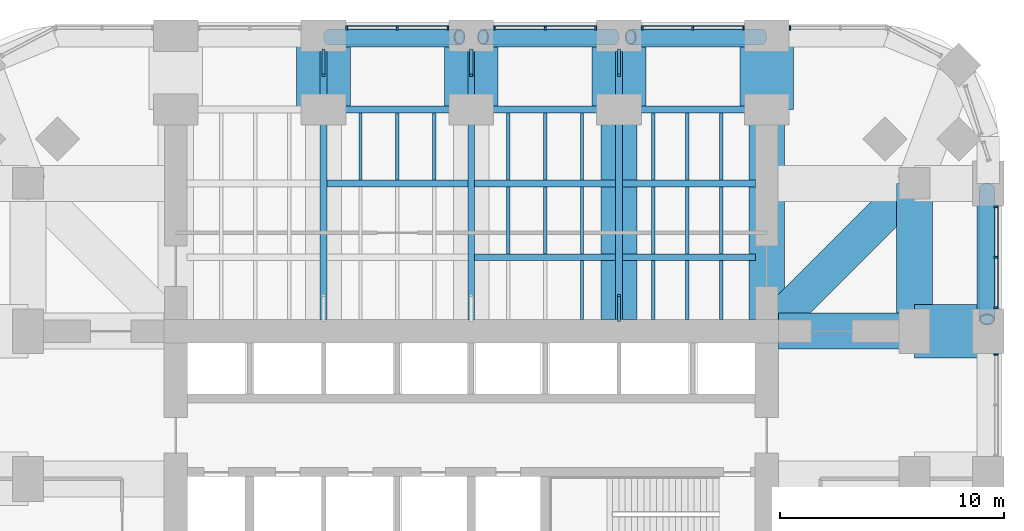
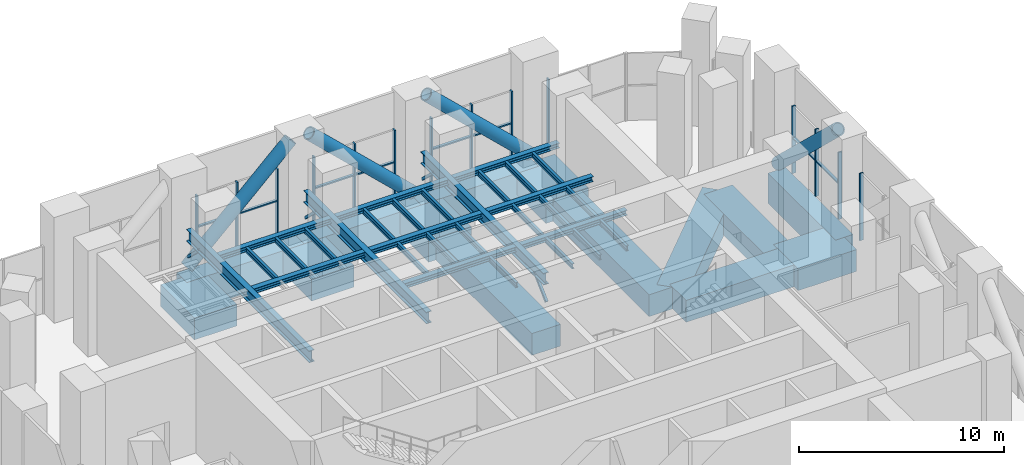
# One storey, part 8 of 16: 44 beams, 30 members, 6 elements without a shape of their own.
"""IFC4 building model written with IfcOpenShell, lengths in metres."""

from ifc_helpers import new_model, si_unit, direction, frame, origin, origin_2d, place, context, subcontext, project, spatial, rectangle, hollow_rectangle, hollow_circle, i_section, extrude, material, material_profile, profile_set, type_object, element, aggregate, save


model = new_model("IFC4")

# Units and contexts
model_context = context("Model", 3, precision=1e-05, world=origin(), true_north=direction((0.0, 1.0)))
body_context = subcontext(model_context, "Body", "Model", "MODEL_VIEW")
ifc_project = project(units=[si_unit("LENGTHUNIT", "METRE"), si_unit("AREAUNIT", "SQUARE_METRE"), si_unit("VOLUMEUNIT", "CUBIC_METRE"), si_unit("PLANEANGLEUNIT", "RADIAN"), si_unit("MASSUNIT", "GRAM", prefix="KILO")], contexts=[model_context])

# Site, building, storey
site_placement = place(None, origin())
site = spatial("IfcSite", under=ifc_project, at=site_placement, CompositionType="ELEMENT")
building_placement = place(site_placement, origin())
building = spatial("IfcBuilding", under=site, at=building_placement, Name="Cobogo Forest Laboratory Tower", CompositionType="ELEMENT")
storey_placement = place(building_placement, frame((0.0, 0.0, 149.39990234375)))
storey = spatial("IfcBuildingStorey", under=building, at=storey_placement, Name="L34", CompositionType="ELEMENT", Elevation=149.39990234375)

# Members
ifc_material_1 = material(Name="Steel S460NH", Category="steel")
ifc_material_profile_1 = material_profile(ifc_material_1, hollow_circle(Radius=0.35546875, WallThickness=0.06005859375, at=origin_2d()), Name="CHS 711x60")
ifc_profile_set_1 = profile_set([ifc_material_profile_1], Name="Steel S460NH")
member_type_1 = type_object("IfcMemberType", Name="Belt truss diagonal CHS 711x60", PredefinedType="BRACE", material=ifc_profile_set_1)
for number, where, z_axis, x_axis, name in (
    (1, (49.43994140625, 39.35009765625, 0.23876953125), (0.0, -0.723363796511, 0.690467101242), (1.0, 0.0, 0.0), "BT1 belt truss diagonal E10 L34"),
    (2, (20.050048828125, 46.139892578125, 0.23876953125), (0.723349354665, 0.0, 0.69048223084), (0.0, 1.0, 0.0), "BT1 belt truss diagonal N12 L34"),
    (3, (32.75, 46.139892578125, 0.23876953125), (-0.723363796511, 0.0, 0.690467101242), (0.0, -1.0, 0.0), "BT1 belt truss diagonal N13 L34"),
    (4, (39.35009765625, 46.139892578125, 0.23876953125), (-0.723363796511, 0.0, 0.690467101242), (0.0, -1.0, 0.0), "BT1 belt truss diagonal N14 L34"),
):
    element("IfcMember", number, at=place(storey_placement, frame(where, z_axis=z_axis, x_axis=x_axis)), inside=storey, type_object=member_type_1, Name=name, PredefinedType="BRACE", context=body_context, shape_type="SweptSolid", body=[
        extrude(hollow_circle(Radius=0.35546875, WallThickness=0.06005859375, at=origin_2d()), origin(), (0.0, 0.0, 1.0), 8.0595703125),
    ])

# Curtain wall, member
ifc_material_2 = material(Name="Aluminium curtain wall", Category="aluminium")
curtain_wall_type = type_object("IfcCurtainWallType", Name="CW-P louvred curtain wall, plant floors", PredefinedType="USERDEFINED", material=ifc_material_2)
curtain_wall_1_placement = place(storey_placement, origin())
curtain_wall_1 = element("IfcCurtainWall", 5, at=curtain_wall_1_placement, inside=storey, type_object=curtain_wall_type, Name="Curtain wall 13 L34", ObjectType="LOUVRED CURTAIN WALL", PredefinedType="USERDEFINED")
ifc_material_3 = material(Name="Aluminium mullion", Category="aluminium")
ifc_material_profile_2 = material_profile(ifc_material_3, rectangle(XDim=0.080078125, YDim=0.199951171875, at=origin_2d()), Name="AL 80x200")
ifc_profile_set_2 = profile_set([ifc_material_profile_2], Name="Aluminium mullion")
member_type_2 = type_object("IfcMemberType", Name="MU-3 aluminium louvre mullion 80x200", PredefinedType="MULLION", material=ifc_profile_set_2)
member_1_placement = place(storey_placement, frame((49.85009765625, 31.9599609375, 0.0), z_axis=(0.0, 0.0, 1.0), x_axis=(0.0, 1.0, 0.0)))
member_1 = element("IfcMember", 6, at=member_1_placement, type_object=member_type_2, Name="CW-P mullion 3", PredefinedType="MULLION", context=body_context, shape_type="SweptSolid", body=[
    extrude(rectangle(XDim=0.080078125, YDim=0.199951171875, at=origin_2d()), origin(), (0.0, 0.0, 1.0), 4.0),
])
aggregate(curtain_wall_1, [member_1])

# Curtain wall, members
curtain_wall_2_placement = place(storey_placement, origin())
curtain_wall_2 = element("IfcCurtainWall", 7, at=curtain_wall_2_placement, inside=storey, type_object=curtain_wall_type, Name="Curtain wall 14 L34", ObjectType="LOUVRED CURTAIN WALL", PredefinedType="USERDEFINED")
member_2_placement = place(storey_placement, frame((49.85009765625, 34.0400390625, 0.0), z_axis=(0.0, 0.0, 1.0), x_axis=(0.0, 1.0, 0.0)))
member_2 = element("IfcMember", 8, at=member_2_placement, type_object=member_type_2, Name="CW-P mullion 1", PredefinedType="MULLION", context=body_context, shape_type="SweptSolid", body=[
    extrude(rectangle(XDim=0.080078125, YDim=0.199951171875, at=origin_2d()), origin(), (0.0, 0.0, 1.0), 4.0),
])
member_3_placement = place(storey_placement, frame((49.85009765625, 36.300048828125, 0.0), z_axis=(0.0, 0.0, 1.0), x_axis=(0.0, 1.0, 0.0)))
member_3 = element("IfcMember", 9, at=member_3_placement, type_object=member_type_2, Name="CW-P mullion 2", PredefinedType="MULLION", context=body_context, shape_type="SweptSolid", body=[
    extrude(rectangle(XDim=0.080078125, YDim=0.199951171875, at=origin_2d()), origin(), (0.0, 0.0, 1.0), 4.0),
])
member_4_placement = place(storey_placement, frame((49.85009765625, 38.56005859375, 0.0), z_axis=(0.0, 0.0, 1.0), x_axis=(0.0, 1.0, 0.0)))
member_4 = element("IfcMember", 10, at=member_4_placement, type_object=member_type_2, Name="CW-P mullion 3", PredefinedType="MULLION", context=body_context, shape_type="SweptSolid", body=[
    extrude(rectangle(XDim=0.080078125, YDim=0.199951171875, at=origin_2d()), origin(), (0.0, 0.0, 1.0), 4.0),
])

# Curtain wall, member
curtain_wall_3_placement = place(storey_placement, origin())
curtain_wall_3 = element("IfcCurtainWall", 11, at=curtain_wall_3_placement, inside=storey, type_object=curtain_wall_type, Name="Curtain wall 18 L34", ObjectType="LOUVRED CURTAIN WALL", PredefinedType="USERDEFINED")
member_5_placement = place(storey_placement, frame((40.639892578125, 46.550048828125, 0.0), z_axis=(0.0, 0.0, 1.0), x_axis=(-1.0, 0.0, 0.0)))
member_5 = element("IfcMember", 12, at=member_5_placement, type_object=member_type_2, Name="CW-P mullion 3", PredefinedType="MULLION", context=body_context, shape_type="SweptSolid", body=[
    extrude(rectangle(XDim=0.080078125, YDim=0.199951171875, at=origin_2d()), origin(), (0.0, 0.0, 1.0), 4.0),
])
aggregate(curtain_wall_3, [member_5])

# Curtain wall, members
curtain_wall_4_placement = place(storey_placement, origin())
curtain_wall_4 = element("IfcCurtainWall", 13, at=curtain_wall_4_placement, inside=storey, type_object=curtain_wall_type, Name="Curtain wall 19 L34", ObjectType="LOUVRED CURTAIN WALL", PredefinedType="USERDEFINED")
member_6_placement = place(storey_placement, frame((38.56005859375, 46.550048828125, 0.0), z_axis=(0.0, 0.0, 1.0), x_axis=(-1.0, 0.0, 0.0)))
member_6 = element("IfcMember", 14, at=member_6_placement, type_object=member_type_2, Name="CW-P mullion 1", PredefinedType="MULLION", context=body_context, shape_type="SweptSolid", body=[
    extrude(rectangle(XDim=0.080078125, YDim=0.199951171875, at=origin_2d()), origin(), (0.0, 0.0, 1.0), 4.0),
])
member_7_placement = place(storey_placement, frame((36.300048828125, 46.550048828125, 0.0), z_axis=(0.0, 0.0, 1.0), x_axis=(-1.0, 0.0, 0.0)))
member_7 = element("IfcMember", 15, at=member_7_placement, type_object=member_type_2, Name="CW-P mullion 2", PredefinedType="MULLION", context=body_context, shape_type="SweptSolid", body=[
    extrude(rectangle(XDim=0.080078125, YDim=0.199951171875, at=origin_2d()), origin(), (0.0, 0.0, 1.0), 4.0),
])
member_8_placement = place(storey_placement, frame((34.0400390625, 46.550048828125, 0.0), z_axis=(0.0, 0.0, 1.0), x_axis=(-1.0, 0.0, 0.0)))
member_8 = element("IfcMember", 16, at=member_8_placement, type_object=member_type_2, Name="CW-P mullion 3", PredefinedType="MULLION", context=body_context, shape_type="SweptSolid", body=[
    extrude(rectangle(XDim=0.080078125, YDim=0.199951171875, at=origin_2d()), origin(), (0.0, 0.0, 1.0), 4.0),
])

curtain_wall_5_placement = place(storey_placement, origin())
curtain_wall_5 = element("IfcCurtainWall", 17, at=curtain_wall_5_placement, inside=storey, type_object=curtain_wall_type, Name="Curtain wall 20 L34", ObjectType="LOUVRED CURTAIN WALL", PredefinedType="USERDEFINED")
member_9_placement = place(storey_placement, frame((31.9599609375, 46.550048828125, 0.0), z_axis=(0.0, 0.0, 1.0), x_axis=(-1.0, 0.0, 0.0)))
member_9 = element("IfcMember", 18, at=member_9_placement, type_object=member_type_2, Name="CW-P mullion 1", PredefinedType="MULLION", context=body_context, shape_type="SweptSolid", body=[
    extrude(rectangle(XDim=0.080078125, YDim=0.199951171875, at=origin_2d()), origin(), (0.0, 0.0, 1.0), 4.0),
])
member_10_placement = place(storey_placement, frame((29.699951171875, 46.550048828125, 0.0), z_axis=(0.0, 0.0, 1.0), x_axis=(-1.0, 0.0, 0.0)))
member_10 = element("IfcMember", 19, at=member_10_placement, type_object=member_type_2, Name="CW-P mullion 2", PredefinedType="MULLION", context=body_context, shape_type="SweptSolid", body=[
    extrude(rectangle(XDim=0.080078125, YDim=0.199951171875, at=origin_2d()), origin(), (0.0, 0.0, 1.0), 4.0),
])
member_11_placement = place(storey_placement, frame((27.43994140625, 46.550048828125, 0.0), z_axis=(0.0, 0.0, 1.0), x_axis=(-1.0, 0.0, 0.0)))
member_11 = element("IfcMember", 20, at=member_11_placement, type_object=member_type_2, Name="CW-P mullion 3", PredefinedType="MULLION", context=body_context, shape_type="SweptSolid", body=[
    extrude(rectangle(XDim=0.080078125, YDim=0.199951171875, at=origin_2d()), origin(), (0.0, 0.0, 1.0), 4.0),
])

curtain_wall_6_placement = place(storey_placement, origin())
curtain_wall_6 = element("IfcCurtainWall", 21, at=curtain_wall_6_placement, inside=storey, type_object=curtain_wall_type, Name="Curtain wall 21 L34", ObjectType="LOUVRED CURTAIN WALL", PredefinedType="USERDEFINED")
member_12_placement = place(storey_placement, frame((25.360107421875, 46.550048828125, 0.0), z_axis=(0.0, 0.0, 1.0), x_axis=(-1.0, 0.0, 0.0)))
member_12 = element("IfcMember", 22, at=member_12_placement, type_object=member_type_2, Name="CW-P mullion 1", PredefinedType="MULLION", context=body_context, shape_type="SweptSolid", body=[
    extrude(rectangle(XDim=0.080078125, YDim=0.199951171875, at=origin_2d()), origin(), (0.0, 0.0, 1.0), 4.0),
])
member_13_placement = place(storey_placement, frame((23.10009765625, 46.550048828125, 0.0), z_axis=(0.0, 0.0, 1.0), x_axis=(-1.0, 0.0, 0.0)))
member_13 = element("IfcMember", 23, at=member_13_placement, type_object=member_type_2, Name="CW-P mullion 2", PredefinedType="MULLION", context=body_context, shape_type="SweptSolid", body=[
    extrude(rectangle(XDim=0.080078125, YDim=0.199951171875, at=origin_2d()), origin(), (0.0, 0.0, 1.0), 4.0),
])
member_14_placement = place(storey_placement, frame((20.840087890625, 46.550048828125, 0.0), z_axis=(0.0, 0.0, 1.0), x_axis=(-1.0, 0.0, 0.0)))
member_14 = element("IfcMember", 24, at=member_14_placement, type_object=member_type_2, Name="CW-P mullion 3", PredefinedType="MULLION", context=body_context, shape_type="SweptSolid", body=[
    extrude(rectangle(XDim=0.080078125, YDim=0.199951171875, at=origin_2d()), origin(), (0.0, 0.0, 1.0), 4.0),
])

# Beams
ifc_material_4 = material(Name="Concrete HA-40 (C40/50)", Category="concrete")
ifc_material_profile_3 = material_profile(ifc_material_4, rectangle(XDim=1.60009765625, YDim=1.300048828125, at=origin_2d()), Name="RC 1600x1300")
ifc_profile_set_3 = profile_set([ifc_material_profile_3], Name="Concrete HA-40 (C40/50)")
beam_type_1 = type_object("IfcBeamType", Name="Plant and roof garden wide beam 1600x1300", PredefinedType="BEAM", material=ifc_profile_set_3)
for number, where, z_axis, x_axis, name in (
    (25, (33.0, 33.52490234375, -1.0), (0.0, 1.0, 0.0), (-1.0, 0.0, 0.0), "RB4 R-6-N L34"),
    (26, (39.60009765625, 33.52490234375, -1.0), (0.0, 1.0, 0.0), (-1.0, 0.0, 0.0), "RB4 R-7-N L34"),
):
    element("IfcBeam", number, at=place(storey_placement, frame(where, z_axis=z_axis, x_axis=x_axis)), inside=storey, type_object=beam_type_1, Name=name, PredefinedType="BEAM", context=body_context, shape_type="SweptSolid", body=[
        extrude(rectangle(XDim=1.60009765625, YDim=1.300048828125, at=origin_2d()), origin(), (0.0, 0.0, 1.0), 9.375),
    ])
beam_1_placement = place(storey_placement, frame((40.125, 33.0, -1.0), z_axis=(1.0, 0.0, 0.0), x_axis=(0.0, 1.0, 0.0)))
element("IfcBeam", 27, at=beam_1_placement, inside=storey, type_object=beam_type_1, Name="RB4 R-F-E L34", PredefinedType="BEAM", context=body_context, shape_type="SweptSolid", body=[
    extrude(rectangle(XDim=1.60009765625, YDim=1.300048828125, at=origin_2d()), origin(), (0.0, 0.0, 1.0), 6.074951171875),
])
beam_2_placement = place(storey_placement, frame((46.199951171875, 39.60009765625, -1.0), z_axis=(0.0, -1.0, 0.0), x_axis=(1.0, 0.0, 0.0)))
element("IfcBeam", 28, at=beam_2_placement, inside=storey, type_object=beam_type_1, Name="RB4 G-NE-XC L34", PredefinedType="BEAM", context=body_context, shape_type="SweptSolid", body=[
    extrude(rectangle(XDim=1.60009765625, YDim=1.300048828125, at=origin_2d()), origin(), (0.0, 0.0, 1.0), 6.60009765625),
])
beam_3_placement = place(storey_placement, frame((46.199951171875, 39.60009765625, -1.0), z_axis=(-0.707092572697, -0.70712098939, 0.0), x_axis=(0.70712098939, -0.707092572697, 0.0)))
element("IfcBeam", 29, at=beam_3_placement, inside=storey, type_object=beam_type_1, Name="RB4 G-NE-D2 L34", PredefinedType="BEAM", context=body_context, shape_type="SweptSolid", body=[
    extrude(rectangle(XDim=1.60009765625, YDim=1.300048828125, at=origin_2d()), origin(), (0.0, 0.0, 1.0), 8.591552734375),
])
ifc_material_5 = material(Name="Concrete HA-50 (C50/60)", Category="concrete")
ifc_material_profile_4 = material_profile(ifc_material_5, rectangle(XDim=2.39990234375, YDim=1.300048828125, at=origin_2d()), Name="RC 2400x1300")
ifc_profile_set_4 = profile_set([ifc_material_profile_4], Name="Concrete HA-50 (C50/60)")
beam_type_2 = type_object("IfcBeamType", Name="Plant floor end-bay beam 2400x1300", PredefinedType="BEAM", material=ifc_profile_set_4)
for number, where, z_axis, x_axis, name in (
    (30, (19.800048828125, 46.199951171875, -1.0), (0.0, -1.0, 0.0), (1.0, 0.0, 0.0), "RB6 R-4-N-X L34"),
    (31, (26.39990234375, 46.199951171875, -1.0), (0.0, -1.0, 0.0), (1.0, 0.0, 0.0), "RB6 R-5-N-X L34"),
    (32, (33.0, 46.199951171875, -1.0), (0.0, -1.0, 0.0), (1.0, 0.0, 0.0), "RB6 R-6-N-X L34"),
    (33, (39.60009765625, 46.199951171875, -1.0), (0.0, -1.0, 0.0), (1.0, 0.0, 0.0), "RB6 R-7-N-X L34"),
    (34, (49.5, 33.0, -1.0), (-1.0, 0.0, 0.0), (0.0, -1.0, 0.0), "RB6 R-F-E-X L34"),
):
    element("IfcBeam", number, at=place(storey_placement, frame(where, z_axis=z_axis, x_axis=x_axis)), inside=storey, type_object=beam_type_2, Name=name, PredefinedType="BEAM", context=body_context, shape_type="SweptSolid", body=[
        extrude(rectangle(XDim=2.39990234375, YDim=1.300048828125, at=origin_2d()), origin(), (0.0, 0.0, 1.0), 3.300048828125),
    ])
ifc_material_profile_5 = material_profile(ifc_material_4, rectangle(XDim=1.0, YDim=1.800048828125, at=origin_2d()), Name="RC 1000x1800")
ifc_profile_set_5 = profile_set([ifc_material_profile_5], Name="Concrete HA-40 (C40/50)")
beam_type_3 = type_object("IfcBeamType", Name="Plant floor perimeter girder 1000x1800", PredefinedType="BEAM", material=ifc_profile_set_5)
beam_4_placement = place(storey_placement, frame((49.5, 33.0, -1.25), z_axis=(0.0, 1.0, 0.0), x_axis=(-1.0, 0.0, 0.0)))
element("IfcBeam", 35, at=beam_4_placement, inside=storey, type_object=beam_type_3, Name="TG1 E-E5 L34", PredefinedType="BEAM", context=body_context, shape_type="SweptSolid", body=[
    extrude(rectangle(XDim=1.0, YDim=1.800048828125, at=origin_2d()), origin(), (0.0, 0.0, 1.0), 6.60009765625),
])
beam_5_placement = place(storey_placement, frame((19.800048828125, 46.199951171875, -1.25), z_axis=(1.0, 0.0, 0.0), x_axis=(0.0, 1.0, 0.0)))
element("IfcBeam", 36, at=beam_5_placement, inside=storey, type_object=beam_type_3, Name="TG1 E-N2 L34", PredefinedType="BEAM", context=body_context, shape_type="SweptSolid", body=[
    extrude(rectangle(XDim=1.0, YDim=1.800048828125, at=origin_2d()), origin(), (0.0, 0.0, 1.0), 6.599853515625),
])
for number, where, z_axis, x_axis, name in (
    (37, (26.39990234375, 46.199951171875, -1.25), (1.0, 0.0, 0.0), (0.0, 1.0, 0.0), "TG1 E-N3 L34"),
    (38, (33.0, 46.199951171875, -1.25), (1.0, 0.0, 0.0), (0.0, 1.0, 0.0), "TG1 E-N4 L34"),
):
    element("IfcBeam", number, at=place(storey_placement, frame(where, z_axis=z_axis, x_axis=x_axis)), inside=storey, type_object=beam_type_3, Name=name, PredefinedType="BEAM", context=body_context, shape_type="SweptSolid", body=[
        extrude(rectangle(XDim=1.0, YDim=1.800048828125, at=origin_2d()), origin(), (0.0, 0.0, 1.0), 6.60009765625),
    ])

# Members
ifc_material_6 = material(Name="Steel S355", Category="steel")
ifc_material_profile_6 = material_profile(ifc_material_6, hollow_rectangle(XDim=0.14990234375, YDim=0.14990234375, WallThickness=0.008056640625, InnerFilletRadius=0.008056640625, OuterFilletRadius=0.011962890625, at=origin_2d()), Name="SHS 150x8")
ifc_profile_set_6 = profile_set([ifc_material_profile_6], Name="Steel S355")
member_type_3 = type_object("IfcMemberType", Name="Plant knee brace SHS 150x8", PredefinedType="BRACE", material=ifc_profile_set_6)
for number, where, z_axis, x_axis, name in (
    (39, (19.800048828125, 45.552978515625, 1.300048828125), (0.0, -0.725097922522, 0.688645774513), (1.0, 0.0, 0.0), "PX2 AHU-N knee brace 4-1 L34"),
    (40, (26.39990234375, 45.552978515625, 1.300048828125), (0.0, -0.725097922522, 0.688645774513), (1.0, 0.0, 0.0), "PX2 AHU-N knee brace 5-1 L34"),
    (41, (33.0, 45.552978515625, 1.300048828125), (0.0, -0.725097922522, 0.688645774513), (1.0, 0.0, 0.0), "PX2 AHU-N knee brace 6-1 L34"),
):
    element("IfcMember", number, at=place(storey_placement, frame(where, z_axis=z_axis, x_axis=x_axis)), inside=storey, type_object=member_type_3, Name=name, PredefinedType="BRACE", context=body_context, shape_type="SweptSolid", body=[
        extrude(hollow_rectangle(XDim=0.14990234375, YDim=0.14990234375, WallThickness=0.008056640625, InnerFilletRadius=0.008056640625, OuterFilletRadius=0.011962890625, at=origin_2d()), origin(), (0.0, 0.0, 1.0), 1.547119140625),
    ])
member_15_placement = place(storey_placement, frame((33.0, 33.471923828125, 1.300048828125), z_axis=(0.0, 0.725172744362, 0.68856698355), x_axis=(-1.0, 0.0, 0.0)))
element("IfcMember", 42, at=member_15_placement, inside=storey, type_object=member_type_3, Name="PX2 AHU-N knee brace 6-2 L34", PredefinedType="BRACE", context=body_context, shape_type="SweptSolid", body=[
    extrude(hollow_rectangle(XDim=0.14990234375, YDim=0.14990234375, WallThickness=0.008056640625, InnerFilletRadius=0.008056640625, OuterFilletRadius=0.011962890625, at=origin_2d()), origin(), (0.0, 0.0, 1.0), 1.54736328125),
])

# Beams
ifc_material_profile_7 = material_profile(ifc_material_6, i_section(OverallWidth=0.300048828125, OverallDepth=0.300048828125, WebThickness=0.010986328125, FlangeThickness=0.01904296875, FilletRadius=0.027099609375, at=origin_2d()), Name="HEB 300")
ifc_profile_set_7 = profile_set([ifc_material_profile_7], Name="Steel S355")
beam_type_4 = type_object("IfcBeamType", Name="Plant platform beam HEB 300", PredefinedType="BEAM", material=ifc_profile_set_7)
for number, where, z_axis, x_axis, name in (
    (43, (19.949951171875, 42.89990234375, 2.85009765625), (1.0, 0.0, 0.0), (0.0, 1.0, 0.0), "PB2 AHU-N platform beam 2 at 3300 L34"),
    (44, (26.550048828125, 42.89990234375, 2.85009765625), (1.0, 0.0, 0.0), (0.0, 1.0, 0.0), "PB2 AHU-N platform beam 3 at 3300 L34"),
):
    element("IfcBeam", number, at=place(storey_placement, frame(where, z_axis=z_axis, x_axis=x_axis)), inside=storey, type_object=beam_type_4, Name=name, PredefinedType="BEAM", context=body_context, shape_type="SweptSolid", body=[
        extrude(i_section(OverallWidth=0.300048828125, OverallDepth=0.300048828125, WebThickness=0.010986328125, FlangeThickness=0.01904296875, FilletRadius=0.027099609375, at=origin_2d()), origin(), (0.0, 0.0, 1.0), 6.300048828125),
    ])
beam_6_placement = place(storey_placement, frame((33.14990234375, 42.89990234375, 2.85009765625), z_axis=(1.0, 0.0, 0.0), x_axis=(0.0, 1.0, 0.0)))
element("IfcBeam", 45, at=beam_6_placement, inside=storey, type_object=beam_type_4, Name="PB2 AHU-N platform beam 4 at 3300 L34", PredefinedType="BEAM", context=body_context, shape_type="SweptSolid", body=[
    extrude(i_section(OverallWidth=0.300048828125, OverallDepth=0.300048828125, WebThickness=0.010986328125, FlangeThickness=0.01904296875, FilletRadius=0.027099609375, at=origin_2d()), origin(), (0.0, 0.0, 1.0), 5.9501953125),
])
for number, where, z_axis, x_axis, name in (
    (46, (19.949951171875, 39.60009765625, 2.85009765625), (1.0, 0.0, 0.0), (0.0, 1.0, 0.0), "PB2 AHU-N platform beam 2 at 6600 L34"),
    (47, (26.550048828125, 39.60009765625, 2.85009765625), (1.0, 0.0, 0.0), (0.0, 1.0, 0.0), "PB2 AHU-N platform beam 3 at 6600 L34"),
):
    element("IfcBeam", number, at=place(storey_placement, frame(where, z_axis=z_axis, x_axis=x_axis)), inside=storey, type_object=beam_type_4, Name=name, PredefinedType="BEAM", context=body_context, shape_type="SweptSolid", body=[
        extrude(i_section(OverallWidth=0.300048828125, OverallDepth=0.300048828125, WebThickness=0.010986328125, FlangeThickness=0.01904296875, FilletRadius=0.027099609375, at=origin_2d()), origin(), (0.0, 0.0, 1.0), 6.300048828125),
    ])
beam_7_placement = place(storey_placement, frame((33.14990234375, 39.60009765625, 2.85009765625), z_axis=(1.0, 0.0, 0.0), x_axis=(0.0, 1.0, 0.0)))
element("IfcBeam", 48, at=beam_7_placement, inside=storey, type_object=beam_type_4, Name="PB2 AHU-N platform beam 4 at 6600 L34", PredefinedType="BEAM", context=body_context, shape_type="SweptSolid", body=[
    extrude(i_section(OverallWidth=0.300048828125, OverallDepth=0.300048828125, WebThickness=0.010986328125, FlangeThickness=0.01904296875, FilletRadius=0.027099609375, at=origin_2d()), origin(), (0.0, 0.0, 1.0), 5.9501953125),
])
beam_8_placement = place(storey_placement, frame((26.550048828125, 36.300048828125, 2.85009765625), z_axis=(1.0, 0.0, 0.0), x_axis=(0.0, 1.0, 0.0)))
element("IfcBeam", 49, at=beam_8_placement, inside=storey, type_object=beam_type_4, Name="PB2 AHU-N platform beam 3 at 9900 L34", PredefinedType="BEAM", context=body_context, shape_type="SweptSolid", body=[
    extrude(i_section(OverallWidth=0.300048828125, OverallDepth=0.300048828125, WebThickness=0.010986328125, FlangeThickness=0.01904296875, FilletRadius=0.027099609375, at=origin_2d()), origin(), (0.0, 0.0, 1.0), 6.300048828125),
])
beam_9_placement = place(storey_placement, frame((33.14990234375, 36.300048828125, 2.85009765625), z_axis=(1.0, 0.0, 0.0), x_axis=(0.0, 1.0, 0.0)))
element("IfcBeam", 50, at=beam_9_placement, inside=storey, type_object=beam_type_4, Name="PB2 AHU-N platform beam 4 at 9900 L34", PredefinedType="BEAM", context=body_context, shape_type="SweptSolid", body=[
    extrude(i_section(OverallWidth=0.300048828125, OverallDepth=0.300048828125, WebThickness=0.010986328125, FlangeThickness=0.01904296875, FilletRadius=0.027099609375, at=origin_2d()), origin(), (0.0, 0.0, 1.0), 5.9501953125),
])
ifc_material_profile_8 = material_profile(ifc_material_6, i_section(OverallWidth=0.300048828125, OverallDepth=0.699951171875, WebThickness=0.01708984375, FlangeThickness=0.031982421875, FilletRadius=0.027099609375, at=origin_2d()), Name="HEB 700")
ifc_profile_set_8 = profile_set([ifc_material_profile_8], Name="Steel S355")
beam_type_5 = type_object("IfcBeamType", Name="Plant platform girder HEB 700", PredefinedType="BEAM", material=ifc_profile_set_8)
for number, where, z_axis, x_axis, name in (
    (51, (19.800048828125, 45.5, 2.650146484375), (0.0, -1.0, 0.0), (1.0, 0.0, 0.0), "PG1 AHU-N girder 4 L34"),
    (52, (26.39990234375, 45.5, 2.650146484375), (0.0, -1.0, 0.0), (1.0, 0.0, 0.0), "PG1 AHU-N girder 5 L34"),
    (53, (33.0, 45.5, 2.650146484375), (0.0, -1.0, 0.0), (1.0, 0.0, 0.0), "PG1 AHU-N girder 6 L34"),
):
    element("IfcBeam", number, at=place(storey_placement, frame(where, z_axis=z_axis, x_axis=x_axis)), inside=storey, type_object=beam_type_5, Name=name, PredefinedType="BEAM", context=body_context, shape_type="SweptSolid", body=[
        extrude(i_section(OverallWidth=0.300048828125, OverallDepth=0.699951171875, WebThickness=0.01708984375, FlangeThickness=0.031982421875, FilletRadius=0.027099609375, at=origin_2d()), origin(), (0.0, 0.0, 1.0), 11.97509765625),
    ])
ifc_material_profile_9 = material_profile(ifc_material_6, i_section(OverallWidth=0.14990234375, OverallDepth=0.300048828125, WebThickness=0.007080078125, FlangeThickness=0.0107421875, FilletRadius=0.014892578125, at=origin_2d()), Name="IPE 300")
ifc_profile_set_9 = profile_set([ifc_material_profile_9], Name="Steel S355")
beam_type_6 = type_object("IfcBeamType", Name="Plant platform joist IPE 300", PredefinedType="JOIST", material=ifc_profile_set_9)
for number, where, z_axis, x_axis, name in (
    (54, (21.449951171875, 42.75, 2.85009765625), (0.0, -1.0, 0.0), (1.0, 0.0, 0.0), "PJ2 AHU-N joist 2.1 row 1 L34"),
    (55, (23.10009765625, 42.75, 2.85009765625), (0.0, -1.0, 0.0), (1.0, 0.0, 0.0), "PJ2 AHU-N joist 2.2 row 1 L34"),
    (56, (24.75, 42.75, 2.85009765625), (0.0, -1.0, 0.0), (1.0, 0.0, 0.0), "PJ2 AHU-N joist 2.3 row 1 L34"),
    (57, (28.050048828125, 42.75, 2.85009765625), (0.0, -1.0, 0.0), (1.0, 0.0, 0.0), "PJ2 AHU-N joist 3.1 row 1 L34"),
    (58, (28.050048828125, 39.449951171875, 2.85009765625), (0.0, -1.0, 0.0), (1.0, 0.0, 0.0), "PJ2 AHU-N joist 3.1 row 2 L34"),
    (59, (29.699951171875, 42.75, 2.85009765625), (0.0, -1.0, 0.0), (1.0, 0.0, 0.0), "PJ2 AHU-N joist 3.2 row 1 L34"),
    (60, (29.699951171875, 39.449951171875, 2.85009765625), (0.0, -1.0, 0.0), (1.0, 0.0, 0.0), "PJ2 AHU-N joist 3.2 row 2 L34"),
    (61, (31.35009765625, 42.75, 2.85009765625), (0.0, -1.0, 0.0), (1.0, 0.0, 0.0), "PJ2 AHU-N joist 3.3 row 1 L34"),
    (62, (31.35009765625, 39.449951171875, 2.85009765625), (0.0, -1.0, 0.0), (1.0, 0.0, 0.0), "PJ2 AHU-N joist 3.3 row 2 L34"),
):
    element("IfcBeam", number, at=place(storey_placement, frame(where, z_axis=z_axis, x_axis=x_axis)), inside=storey, type_object=beam_type_6, Name=name, PredefinedType="JOIST", context=body_context, shape_type="SweptSolid", body=[
        extrude(i_section(OverallWidth=0.14990234375, OverallDepth=0.300048828125, WebThickness=0.007080078125, FlangeThickness=0.0107421875, FilletRadius=0.014892578125, at=origin_2d()), origin(), (0.0, 0.0, 1.0), 3.0),
    ])
beam_10_placement = place(storey_placement, frame((31.35009765625, 36.14990234375, 2.85009765625), z_axis=(0.0, -1.0, 0.0), x_axis=(1.0, 0.0, 0.0)))
element("IfcBeam", 63, at=beam_10_placement, inside=storey, type_object=beam_type_6, Name="PJ2 AHU-N joist 3.3 row 3 L34", PredefinedType="JOIST", context=body_context, shape_type="SweptSolid", body=[
    extrude(i_section(OverallWidth=0.14990234375, OverallDepth=0.300048828125, WebThickness=0.007080078125, FlangeThickness=0.0107421875, FilletRadius=0.014892578125, at=origin_2d()), origin(), (0.0, 0.0, 1.0), 2.625),
])
for number, where, z_axis, x_axis, name in (
    (64, (34.52490234375, 42.75, 2.85009765625), (0.0, -1.0, 0.0), (1.0, 0.0, 0.0), "PJ2 AHU-N joist 4.1 row 1 L34"),
    (65, (34.52490234375, 39.449951171875, 2.85009765625), (0.0, -1.0, 0.0), (1.0, 0.0, 0.0), "PJ2 AHU-N joist 4.1 row 2 L34"),
):
    element("IfcBeam", number, at=place(storey_placement, frame(where, z_axis=z_axis, x_axis=x_axis)), inside=storey, type_object=beam_type_6, Name=name, PredefinedType="JOIST", context=body_context, shape_type="SweptSolid", body=[
        extrude(i_section(OverallWidth=0.14990234375, OverallDepth=0.300048828125, WebThickness=0.007080078125, FlangeThickness=0.0107421875, FilletRadius=0.014892578125, at=origin_2d()), origin(), (0.0, 0.0, 1.0), 3.0),
    ])
beam_11_placement = place(storey_placement, frame((34.52490234375, 36.14990234375, 2.85009765625), z_axis=(0.0, -1.0, 0.0), x_axis=(1.0, 0.0, 0.0)))
element("IfcBeam", 66, at=beam_11_placement, inside=storey, type_object=beam_type_6, Name="PJ2 AHU-N joist 4.1 row 3 L34", PredefinedType="JOIST", context=body_context, shape_type="SweptSolid", body=[
    extrude(i_section(OverallWidth=0.14990234375, OverallDepth=0.300048828125, WebThickness=0.007080078125, FlangeThickness=0.0107421875, FilletRadius=0.014892578125, at=origin_2d()), origin(), (0.0, 0.0, 1.0), 2.625),
])
for number, where, z_axis, x_axis, name in (
    (67, (36.050048828125, 42.75, 2.85009765625), (0.0, -1.0, 0.0), (1.0, 0.0, 0.0), "PJ2 AHU-N joist 4.2 row 1 L34"),
    (68, (36.050048828125, 39.449951171875, 2.85009765625), (0.0, -1.0, 0.0), (1.0, 0.0, 0.0), "PJ2 AHU-N joist 4.2 row 2 L34"),
):
    element("IfcBeam", number, at=place(storey_placement, frame(where, z_axis=z_axis, x_axis=x_axis)), inside=storey, type_object=beam_type_6, Name=name, PredefinedType="JOIST", context=body_context, shape_type="SweptSolid", body=[
        extrude(i_section(OverallWidth=0.14990234375, OverallDepth=0.300048828125, WebThickness=0.007080078125, FlangeThickness=0.0107421875, FilletRadius=0.014892578125, at=origin_2d()), origin(), (0.0, 0.0, 1.0), 3.0),
    ])
beam_12_placement = place(storey_placement, frame((36.050048828125, 36.14990234375, 2.85009765625), z_axis=(0.0, -1.0, 0.0), x_axis=(1.0, 0.0, 0.0)))
element("IfcBeam", 69, at=beam_12_placement, inside=storey, type_object=beam_type_6, Name="PJ2 AHU-N joist 4.2 row 3 L34", PredefinedType="JOIST", context=body_context, shape_type="SweptSolid", body=[
    extrude(i_section(OverallWidth=0.14990234375, OverallDepth=0.300048828125, WebThickness=0.007080078125, FlangeThickness=0.0107421875, FilletRadius=0.014892578125, at=origin_2d()), origin(), (0.0, 0.0, 1.0), 2.625),
])
for number, where, z_axis, x_axis, name in (
    (70, (37.574951171875, 42.75, 2.85009765625), (0.0, -1.0, 0.0), (1.0, 0.0, 0.0), "PJ2 AHU-N joist 4.3 row 1 L34"),
    (71, (37.574951171875, 39.449951171875, 2.85009765625), (0.0, -1.0, 0.0), (1.0, 0.0, 0.0), "PJ2 AHU-N joist 4.3 row 2 L34"),
):
    element("IfcBeam", number, at=place(storey_placement, frame(where, z_axis=z_axis, x_axis=x_axis)), inside=storey, type_object=beam_type_6, Name=name, PredefinedType="JOIST", context=body_context, shape_type="SweptSolid", body=[
        extrude(i_section(OverallWidth=0.14990234375, OverallDepth=0.300048828125, WebThickness=0.007080078125, FlangeThickness=0.0107421875, FilletRadius=0.014892578125, at=origin_2d()), origin(), (0.0, 0.0, 1.0), 3.0),
    ])
beam_13_placement = place(storey_placement, frame((37.574951171875, 36.14990234375, 2.85009765625), z_axis=(0.0, -1.0, 0.0), x_axis=(1.0, 0.0, 0.0)))
element("IfcBeam", 72, at=beam_13_placement, inside=storey, type_object=beam_type_6, Name="PJ2 AHU-N joist 4.3 row 3 L34", PredefinedType="JOIST", context=body_context, shape_type="SweptSolid", body=[
    extrude(i_section(OverallWidth=0.14990234375, OverallDepth=0.300048828125, WebThickness=0.007080078125, FlangeThickness=0.0107421875, FilletRadius=0.014892578125, at=origin_2d()), origin(), (0.0, 0.0, 1.0), 2.625),
])

# Member
ifc_material_7 = material(Name="Aluminium transom", Category="aluminium")
ifc_material_profile_10 = material_profile(ifc_material_7, rectangle(XDim=0.14990234375, YDim=0.080078125, at=origin_2d()), Name="AL 80x150")
ifc_profile_set_10 = profile_set([ifc_material_profile_10], Name="Aluminium transom")
member_type_4 = type_object("IfcMemberType", Name="TR-2 aluminium louvre transom 80x150", PredefinedType="USERDEFINED", material=ifc_profile_set_10)
member_16_placement = place(storey_placement, frame((49.85009765625, 34.080078125, 2.10009765625), z_axis=(0.0, 1.0, 0.0), x_axis=(-1.0, 0.0, 0.0)))
member_16 = element("IfcMember", 73, at=member_16_placement, type_object=member_type_4, Name="CW-P transom 1.1", ObjectType="TRANSOM", PredefinedType="USERDEFINED", context=body_context, shape_type="SweptSolid", body=[
    extrude(rectangle(XDim=0.14990234375, YDim=0.080078125, at=origin_2d()), origin(), (0.0, 0.0, 1.0), 2.179931640625),
])

member_17_placement = place(storey_placement, frame((49.85009765625, 36.340087890625, 2.10009765625), z_axis=(0.0, 1.0, 0.0), x_axis=(-1.0, 0.0, 0.0)))
member_17 = element("IfcMember", 74, at=member_17_placement, type_object=member_type_4, Name="CW-P transom 2.1", ObjectType="TRANSOM", PredefinedType="USERDEFINED", context=body_context, shape_type="SweptSolid", body=[
    extrude(rectangle(XDim=0.14990234375, YDim=0.080078125, at=origin_2d()), origin(), (0.0, 0.0, 1.0), 2.179931640625),
])

aggregate(curtain_wall_2, [member_2, member_3, member_4, member_16, member_17])

member_18_placement = place(storey_placement, frame((38.52001953125, 46.550048828125, 2.10009765625), z_axis=(-1.0, 0.0, 0.0), x_axis=(0.0, -1.0, 0.0)))
member_18 = element("IfcMember", 75, at=member_18_placement, type_object=member_type_4, Name="CW-P transom 1.1", ObjectType="TRANSOM", PredefinedType="USERDEFINED", context=body_context, shape_type="SweptSolid", body=[
    extrude(rectangle(XDim=0.14990234375, YDim=0.080078125, at=origin_2d()), origin(), (0.0, 0.0, 1.0), 2.179931640625),
])

member_19_placement = place(storey_placement, frame((36.260009765625, 46.550048828125, 2.10009765625), z_axis=(-1.0, 0.0, 0.0), x_axis=(0.0, -1.0, 0.0)))
member_19 = element("IfcMember", 76, at=member_19_placement, type_object=member_type_4, Name="CW-P transom 2.1", ObjectType="TRANSOM", PredefinedType="USERDEFINED", context=body_context, shape_type="SweptSolid", body=[
    extrude(rectangle(XDim=0.14990234375, YDim=0.080078125, at=origin_2d()), origin(), (0.0, 0.0, 1.0), 2.179931640625),
])

aggregate(curtain_wall_4, [member_6, member_7, member_8, member_18, member_19])

member_20_placement = place(storey_placement, frame((31.919921875, 46.550048828125, 2.10009765625), z_axis=(-1.0, 0.0, 0.0), x_axis=(0.0, -1.0, 0.0)))
member_20 = element("IfcMember", 77, at=member_20_placement, type_object=member_type_4, Name="CW-P transom 1.1", ObjectType="TRANSOM", PredefinedType="USERDEFINED", context=body_context, shape_type="SweptSolid", body=[
    extrude(rectangle(XDim=0.14990234375, YDim=0.080078125, at=origin_2d()), origin(), (0.0, 0.0, 1.0), 2.179931640625),
])

member_21_placement = place(storey_placement, frame((29.659912109375, 46.550048828125, 2.10009765625), z_axis=(-1.0, 0.0, 0.0), x_axis=(0.0, -1.0, 0.0)))
member_21 = element("IfcMember", 78, at=member_21_placement, type_object=member_type_4, Name="CW-P transom 2.1", ObjectType="TRANSOM", PredefinedType="USERDEFINED", context=body_context, shape_type="SweptSolid", body=[
    extrude(rectangle(XDim=0.14990234375, YDim=0.080078125, at=origin_2d()), origin(), (0.0, 0.0, 1.0), 2.179931640625),
])

aggregate(curtain_wall_5, [member_9, member_10, member_11, member_20, member_21])

member_22_placement = place(storey_placement, frame((25.320068359375, 46.550048828125, 2.10009765625), z_axis=(-1.0, 0.0, 0.0), x_axis=(0.0, -1.0, 0.0)))
member_22 = element("IfcMember", 79, at=member_22_placement, type_object=member_type_4, Name="CW-P transom 1.1", ObjectType="TRANSOM", PredefinedType="USERDEFINED", context=body_context, shape_type="SweptSolid", body=[
    extrude(rectangle(XDim=0.14990234375, YDim=0.080078125, at=origin_2d()), origin(), (0.0, 0.0, 1.0), 2.18017578125),
])

member_23_placement = place(storey_placement, frame((23.06005859375, 46.550048828125, 2.10009765625), z_axis=(-1.0, 0.0, 0.0), x_axis=(0.0, -1.0, 0.0)))
member_23 = element("IfcMember", 80, at=member_23_placement, type_object=member_type_4, Name="CW-P transom 2.1", ObjectType="TRANSOM", PredefinedType="USERDEFINED", context=body_context, shape_type="SweptSolid", body=[
    extrude(rectangle(XDim=0.14990234375, YDim=0.080078125, at=origin_2d()), origin(), (0.0, 0.0, 1.0), 2.18017578125),
])

aggregate(curtain_wall_6, [member_12, member_13, member_14, member_22, member_23])

save(model, "model.ifc")
